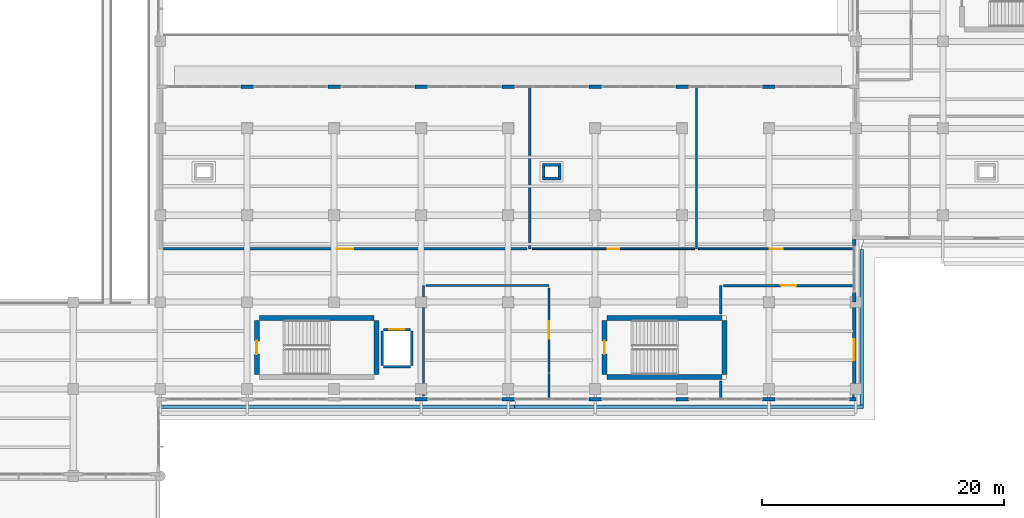
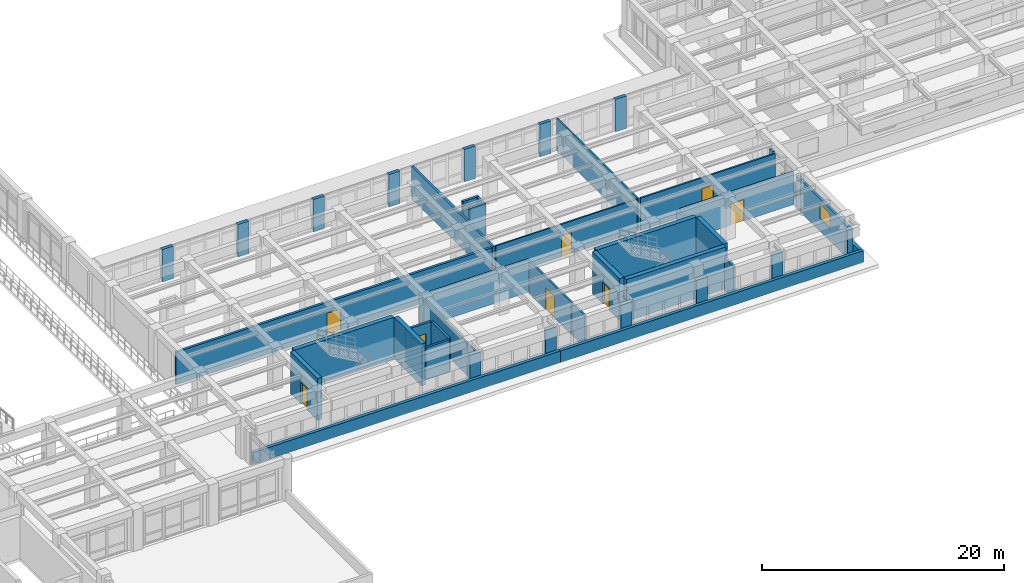
# One storey, part 50 of 69: 46 walls, 8 doors, 1 window, 9 openings.
"""IFC4 building model written with IfcOpenShell, lengths in metres."""

from ifc_helpers import new_model, si_unit, direction, frame, frame_2d, origin, place, context, subcontext, project, spatial, rectangle, extrude, material, layer, layer_set, type_object, element, fill, save


model = new_model("IFC4")

# Units and contexts
model_context = context("Model", 3, precision=1e-05, world=origin(), true_north=direction((0.0, 1.0)))
body_context = subcontext(model_context, "Body", "Model", "MODEL_VIEW")
ifc_project = project(units=[si_unit("LENGTHUNIT", "METRE"), si_unit("AREAUNIT", "SQUARE_METRE"), si_unit("VOLUMEUNIT", "CUBIC_METRE"), si_unit("PLANEANGLEUNIT", "RADIAN"), si_unit("MASSUNIT", "GRAM", prefix="KILO")], contexts=[model_context])

# Site, building, storey
site_placement = place(None, origin())
site = spatial("IfcSite", under=ifc_project, at=site_placement, CompositionType="ELEMENT")
building_placement = place(site_placement, origin())
building = spatial("IfcBuilding", under=site, at=building_placement, Name="Solenvale Faculty of Natural Sciences", CompositionType="ELEMENT")
storey_placement = place(building_placement, frame((0.0, 0.0, 4.5)))
storey = spatial("IfcBuildingStorey", under=building, at=storey_placement, Name="L01", CompositionType="ELEMENT", Elevation=4.5)

# Walls
ifc_material_1 = material(Name="Architectural bronze concrete 40 MPa", Category="concrete")
ifc_layer_1 = layer(ifc_material_1, 0.300048828125)
ifc_layer_set_1 = layer_set([ifc_layer_1], Name="Architectural bronze concrete 40 MPa")
wall_type_1 = type_object("IfcWallType", Name="WL-EXT-BRZ-300", PredefinedType="STANDARD", material=ifc_layer_set_1)
wall_1_placement = place(storey_placement, frame((115.669921875, 33.15087890625, 0.0), z_axis=(0.0, 0.0, 1.0), x_axis=(0.0, -1.0, 0.0)))
element("IfcWall", 1, at=wall_1_placement, inside=storey, type_object=wall_type_1, Name="L01 Sliding-Tray Rough Bronze Concrete Band 5", PredefinedType="PARAPET", context=body_context, shape_type="SweptSolid", body=[
    extrude(rectangle(XDim=12.870849609375, YDim=0.300048828125, at=frame_2d((6.435546875, 0.0))), origin(), (0.0, 0.0, 1.0), 1.179931640625),
])
wall_2_placement = place(storey_placement, frame((115.820068359375, 20.1298828125, 0.0), z_axis=(0.0, 0.0, 1.0), x_axis=(-1.0, 0.0, 0.0)))
element("IfcWall", 2, at=wall_2_placement, inside=storey, type_object=wall_type_1, Name="L01 Sliding-Tray Rough Bronze Concrete Band 6", PredefinedType="PARAPET", context=body_context, shape_type="SweptSolid", body=[
    extrude(rectangle(XDim=28.907958984375, YDim=0.300048828125, at=frame_2d((14.4541015625, 0.0))), origin(), (0.0, 0.0, 1.0), 1.179931640625),
])
wall_3_placement = place(storey_placement, frame((87.1279296875, 20.1298828125, 0.0), z_axis=(0.0, 0.0, 1.0), x_axis=(-1.0, 0.0, 0.0)))
element("IfcWall", 3, at=wall_3_placement, inside=storey, type_object=wall_type_1, Name="L01 Sliding-Tray Rough Bronze Concrete Band 7", PredefinedType="PARAPET", context=body_context, shape_type="SweptSolid", body=[
    extrude(rectangle(XDim=29.498046875, YDim=0.300048828125, at=frame_2d((14.7490234375, 0.0))), origin(), (0.0, 0.0, 1.0), 1.179931640625),
])
ifc_layer_2 = layer(ifc_material_1, 0.324951171875)
ifc_layer_set_2 = layer_set([ifc_layer_2], Name="Architectural bronze concrete 40 MPa")
wall_type_2 = type_object("IfcWallType", Name="WL-EXT-BRZ-325", PredefinedType="STANDARD", material=ifc_layer_set_2)
wall_4_placement = place(storey_placement, frame((78.681884765625, 20.762451171875, 0.0), z_axis=(0.0, 0.0, 1.0), x_axis=(1.0, 0.0, 0.0)))
element("IfcWall", 4, at=wall_4_placement, inside=storey, type_object=wall_type_2, Name="L01 Facade Closure Pier 5.B3-R", PredefinedType="STANDARD", context=body_context, shape_type="SweptSolid", body=[
    extrude(rectangle(XDim=1.0361328125, YDim=0.324951171875, at=frame_2d((0.51806640625, 0.0))), origin(), (0.0, 0.0, 1.0), 3.260009765625),
])
for number, where, z_axis, x_axis, name in (
    (5, (85.882080078125, 20.762451171875, 0.0), (0.0, 0.0, 1.0), (1.0, 0.0, 0.0), "L01 Facade Closure Pier 5.B4-R"),
    (6, (93.08203125, 20.762451171875, 0.0), (0.0, 0.0, 1.0), (1.0, 0.0, 0.0), "L01 Facade Closure Pier 5.B5-R"),
):
    element("IfcWall", number, at=place(storey_placement, frame(where, z_axis=z_axis, x_axis=x_axis)), inside=storey, type_object=wall_type_2, Name=name, PredefinedType="STANDARD", context=body_context, shape_type="SweptSolid", body=[
        extrude(rectangle(XDim=1.035888671875, YDim=0.324951171875, at=frame_2d((0.51806640625, 0.0))), origin(), (0.0, 0.0, 1.0), 3.260009765625),
    ])
for number, where, z_axis, x_axis, name in (
    (7, (100.281982421875, 20.762451171875, 0.0), (0.0, 0.0, 1.0), (1.0, 0.0, 0.0), "L01 Facade Closure Pier 5.B6-R"),
    (8, (107.48193359375, 20.762451171875, 0.0), (0.0, 0.0, 1.0), (1.0, 0.0, 0.0), "L01 Facade Closure Pier 5.B7-R"),
):
    element("IfcWall", number, at=place(storey_placement, frame(where, z_axis=z_axis, x_axis=x_axis)), inside=storey, type_object=wall_type_2, Name=name, PredefinedType="STANDARD", context=body_context, shape_type="SweptSolid", body=[
        extrude(rectangle(XDim=1.0361328125, YDim=0.324951171875, at=frame_2d((0.51806640625, 0.0))), origin(), (0.0, 0.0, 1.0), 3.260009765625),
    ])
wall_5_placement = place(storey_placement, frame((114.681884765625, 20.762451171875, 0.0), z_axis=(0.0, 0.0, 1.0), x_axis=(1.0, 0.0, 0.0)))
element("IfcWall", 9, at=wall_5_placement, inside=storey, type_object=wall_type_2, Name="L01 Facade Closure Pier 5.B8-R", PredefinedType="STANDARD", context=body_context, shape_type="SweptSolid", body=[
    extrude(rectangle(XDim=0.51806640625, YDim=0.324951171875, at=frame_2d((0.259033203125, 0.0))), origin(), (0.0, 0.0, 1.0), 3.260009765625),
])
for number, where, z_axis, x_axis, name in (
    (10, (108.51806640625, 46.637451171875, 0.0), (0.0, 0.0, 1.0), (-1.0, 0.0, 0.0), "L01 Facade Closure Pier 11.B1-R"),
    (11, (101.318115234375, 46.637451171875, 0.0), (0.0, 0.0, 1.0), (-1.0, 0.0, 0.0), "L01 Facade Closure Pier 11.B2-R"),
):
    element("IfcWall", number, at=place(storey_placement, frame(where, z_axis=z_axis, x_axis=x_axis)), inside=storey, type_object=wall_type_2, Name=name, PredefinedType="STANDARD", context=body_context, shape_type="SweptSolid", body=[
        extrude(rectangle(XDim=1.0361328125, YDim=0.324951171875, at=frame_2d((0.51806640625, 0.0))), origin(), (0.0, 0.0, 1.0), 3.260009765625),
    ])
for number, where, z_axis, x_axis, name in (
    (12, (94.117919921875, 46.637451171875, 0.0), (0.0, 0.0, 1.0), (-1.0, 0.0, 0.0), "L01 Facade Closure Pier 11.B3-R"),
    (13, (86.91796875, 46.637451171875, 0.0), (0.0, 0.0, 1.0), (-1.0, 0.0, 0.0), "L01 Facade Closure Pier 11.B4-R"),
):
    element("IfcWall", number, at=place(storey_placement, frame(where, z_axis=z_axis, x_axis=x_axis)), inside=storey, type_object=wall_type_2, Name=name, PredefinedType="STANDARD", context=body_context, shape_type="SweptSolid", body=[
        extrude(rectangle(XDim=1.035888671875, YDim=0.324951171875, at=frame_2d((0.51806640625, 0.0))), origin(), (0.0, 0.0, 1.0), 3.260009765625),
    ])
for number, where, z_axis, x_axis, name in (
    (14, (79.718017578125, 46.637451171875, 0.0), (0.0, 0.0, 1.0), (-1.0, 0.0, 0.0), "L01 Facade Closure Pier 11.B5-R"),
    (15, (72.51806640625, 46.637451171875, 0.0), (0.0, 0.0, 1.0), (-1.0, 0.0, 0.0), "L01 Facade Closure Pier 11.B6-R"),
    (16, (65.318115234375, 46.637451171875, 0.0), (0.0, 0.0, 1.0), (-1.0, 0.0, 0.0), "L01 Facade Closure Pier 11.B7-R"),
):
    element("IfcWall", number, at=place(storey_placement, frame(where, z_axis=z_axis, x_axis=x_axis)), inside=storey, type_object=wall_type_2, Name=name, PredefinedType="STANDARD", context=body_context, shape_type="SweptSolid", body=[
        extrude(rectangle(XDim=1.0361328125, YDim=0.324951171875, at=frame_2d((0.51806640625, 0.0))), origin(), (0.0, 0.0, 1.0), 3.260009765625),
    ])

# Wall, opening, window
ifc_material_2 = material(Name="Precast concrete 40 MPa", Category="concrete")
ifc_layer_3 = layer(ifc_material_2, 0.264892578125)
ifc_layer_set_3 = layer_set([ifc_layer_3], Name="Precast concrete 40 MPa")
wall_type_3 = type_object("IfcWallType", Name="WL-EXT-PRC-265", PredefinedType="STANDARD", material=ifc_layer_set_3)
wall_6_placement = place(storey_placement, frame((115.0673828125, 28.800048828125, 0.0), z_axis=(0.0, 0.0, 1.0), x_axis=(0.0, -1.0, 0.0)))
wall_6 = element("IfcWall", 17, at=wall_6_placement, inside=storey, type_object=wall_type_3, Name="L01 Exterior Wall 6.1", PredefinedType="STANDARD", context=body_context, shape_type="SweptSolid", body=[
    extrude(rectangle(XDim=7.875, YDim=0.264892578125, at=frame_2d((3.9375, 0.0))), origin(), (0.0, 0.0, 1.0), 3.260009765625),
])
opening_1_placement = place(wall_6_placement, frame((3.06201171875, 0.0, 1.280029296875)))
opening_1 = element("IfcOpeningElement", 18, at=opening_1_placement, cuts=wall_6, Name="Opening WN-22", PredefinedType="OPENING", context=body_context, shape_type="SweptSolid", body=[
    extrude(rectangle(XDim=1.75, YDim=1.5, at=frame_2d((0.875, 0.75))), frame((0.0, 0.142333984375, 0.0), z_axis=(0.0, -1.0, 0.0), x_axis=(1.0, 0.0, 0.0)), (0.0, 0.0, 1.0), 0.284912109375),
])
ifc_material_3 = material(Name="Triple low-E insulated glass", Category="glass")
window_type = type_object("IfcWindowType", Name="WN-1750x1500", PartitioningType="SINGLE_PANEL", PredefinedType="WINDOW", material=ifc_material_3)
window_placement = place(opening_1_placement, origin())
window = element("IfcWindow", 19, at=window_placement, inside=storey, type_object=window_type, Name="L01 Window 6.1", OverallHeight=1.5, OverallWidth=1.75, PartitioningType="SINGLE_PANEL", PredefinedType="WINDOW", context=body_context, shape_type="SweptSolid", body=[
    extrude(rectangle(XDim=1.75, YDim=1.5, at=frame_2d((0.875, 0.75))), frame((0.0, 0.030029296875, 0.0), z_axis=(0.0, -1.0, 0.0), x_axis=(1.0, 0.0, 0.0)), (0.0, 0.0, 1.0), 0.06005859375),
])
fill(opening_1, window)

# Walls
ifc_layer_4 = layer(ifc_material_2, 0.284912109375)
ifc_layer_set_4 = layer_set([ifc_layer_4], Name="Precast concrete 40 MPa")
wall_type_4 = type_object("IfcWallType", Name="WL-EXT-PRC-285", PredefinedType="STANDARD", material=ifc_layer_set_4)
wall_7_placement = place(storey_placement, frame((115.0576171875, 28.800048828125, 0.0), z_axis=(0.0, 0.0, 1.0), x_axis=(0.0, 1.0, 0.0)))
element("IfcWall", 20, at=wall_7_placement, inside=storey, type_object=wall_type_4, Name="L01 Facade Closure Pier 6.B2-L", PredefinedType="STANDARD", context=body_context, shape_type="SweptSolid", body=[
    extrude(rectangle(XDim=0.787841796875, YDim=0.284912109375, at=frame_2d((0.39404296875, 0.0))), origin(), (0.0, 0.0, 1.0), 3.260009765625),
])
wall_8_placement = place(storey_placement, frame((115.0576171875, 33.48193359375, 0.0), z_axis=(0.0, 0.0, 1.0), x_axis=(0.0, 1.0, 0.0)))
element("IfcWall", 21, at=wall_8_placement, inside=storey, type_object=wall_type_4, Name="L01 Facade Closure Pier 6.B2-R", PredefinedType="STANDARD", context=body_context, shape_type="SweptSolid", body=[
    extrude(rectangle(XDim=0.51806640625, YDim=0.284912109375, at=frame_2d((0.259033203125, 0.0))), origin(), (0.0, 0.0, 1.0), 3.260009765625),
])
ifc_material_4 = material(Name="Gypsum fire-rated laboratory partition")
ifc_layer_5 = layer(ifc_material_4, 0.175048828125)
ifc_layer_set_5 = layer_set([ifc_layer_5], Name="Gypsum fire-rated laboratory partition")
wall_type_5 = type_object("IfcWallType", Name="WL-LAB-175", PredefinedType="PARTITIONING", material=ifc_layer_set_5)
wall_9_placement = place(storey_placement, frame((79.39990234375, 21.02392578125, 0.0), z_axis=(0.0, 0.0, 1.0), x_axis=(0.0, 1.0, 0.0)))
element("IfcWall", 22, at=wall_9_placement, inside=storey, type_object=wall_type_5, Name="L01 Organic Chemistry Teaching Laboratory Partition 1", PredefinedType="PARTITIONING", context=body_context, shape_type="SweptSolid", body=[
    extrude(rectangle(XDim=9.156005859375, YDim=0.175048828125, at=frame_2d((4.578125, 0.0))), origin(), (0.0, 0.0, 1.0), 3.260009765625),
])
wall_10_placement = place(storey_placement, frame((79.5869140625, 30.179931640625, 0.0), z_axis=(0.0, 0.0, 1.0), x_axis=(1.0, 0.0, 0.0)))
element("IfcWall", 23, at=wall_10_placement, inside=storey, type_object=wall_type_5, Name="L01 Organic Chemistry Teaching Laboratory Partition 2", PredefinedType="PARTITIONING", context=body_context, shape_type="SweptSolid", body=[
    extrude(rectangle(XDim=10.193115234375, YDim=0.175048828125, at=frame_2d((5.0966796875, 0.0))), origin(), (0.0, 0.0, 1.0), 3.260009765625),
])

# Wall, opening, door
wall_11_placement = place(storey_placement, frame((89.780029296875, 29.992919921875, 0.0), z_axis=(0.0, 0.0, 1.0), x_axis=(0.0, -1.0, 0.0)))
wall_11 = element("IfcWall", 24, at=wall_11_placement, inside=storey, type_object=wall_type_5, Name="L01 Organic Chemistry Teaching Laboratory Partition 3", PredefinedType="PARTITIONING", context=body_context, shape_type="SweptSolid", body=[
    extrude(rectangle(XDim=6.992919921875, YDim=0.175048828125, at=frame_2d((3.49658203125, 0.0))), origin(), (0.0, 0.0, 1.0), 3.260009765625),
])
opening_2_placement = place(wall_11_placement, frame((2.756103515625, 0.0, 0.0)))
opening_2 = element("IfcOpeningElement", 25, at=opening_2_placement, cuts=wall_11, Name="Opening D-L01-09", PredefinedType="OPENING", context=body_context, shape_type="SweptSolid", body=[
    extrude(rectangle(XDim=1.47998046875, YDim=2.199951171875, at=frame_2d((0.739990234375, 1.10009765625))), frame((0.0, 0.097412109375, 0.0), z_axis=(0.0, -1.0, 0.0), x_axis=(1.0, 0.0, 0.0)), (0.0, 0.0, 1.0), 0.195068359375),
])
ifc_material_5 = material(Name="Oak acoustic timber leaf", Category="wood")
door_type_1 = type_object("IfcDoorType", Name="DR-LAB-1480x2200", OperationType="NOTDEFINED", PredefinedType="DOOR", material=ifc_material_5)
door_1_placement = place(opening_2_placement, origin())
door_1 = element("IfcDoor", 26, at=door_1_placement, inside=storey, type_object=door_type_1, Name="L01 Organic Chemistry Teaching Laboratory Door", OperationType="SINGLE_SWING_RIGHT", OverallHeight=2.199951171875, OverallWidth=1.47998046875, PredefinedType="DOOR", context=body_context, shape_type="SweptSolid", body=[
    extrude(rectangle(XDim=1.47998046875, YDim=2.199951171875, at=frame_2d((0.739990234375, 1.10009765625))), frame((0.0, 0.02490234375, 0.0), z_axis=(0.0, -1.0, 0.0), x_axis=(1.0, 0.0, 0.0)), (0.0, 0.0, 1.0), 0.050048828125),
])
fill(opening_2, door_1)

# Walls
wall_12_placement = place(storey_placement, frame((89.800048828125, 22.90087890625, 0.0), z_axis=(0.0, 0.0, 1.0), x_axis=(0.0, -1.0, 0.0)))
element("IfcWall", 27, at=wall_12_placement, inside=storey, type_object=wall_type_5, Name="L01 Organic Chemistry Teaching Laboratory Partition 20", PredefinedType="PARTITIONING", context=body_context, shape_type="SweptSolid", body=[
    extrude(rectangle(XDim=2.098876953125, YDim=0.175048828125, at=frame_2d((1.04931640625, 0.0))), origin(), (0.0, 0.0, 1.0), 3.260009765625),
])
ifc_layer_6 = layer(ifc_material_4, 0.2119140625)
ifc_layer_set_6 = layer_set([ifc_layer_6], Name="Gypsum fire-rated laboratory partition")
wall_type_6 = type_object("IfcWallType", Name="WL-LAB-212", PredefinedType="PARTITIONING", material=ifc_layer_set_6)
wall_13_placement = place(storey_placement, frame((104.0, 20.802001953125, 0.0), z_axis=(0.0, 0.0, 1.0), x_axis=(0.0, 1.0, 0.0)))
element("IfcWall", 28, at=wall_13_placement, inside=storey, type_object=wall_type_6, Name="L01 Quantitative Analysis Laboratory Partition 3", PredefinedType="PARTITIONING", context=body_context, shape_type="SweptSolid", body=[
    extrude(rectangle(XDim=1.469970703125, YDim=0.2119140625, at=frame_2d((0.73486328125, 0.0))), origin(), (0.0, 0.0, 1.0), 3.260009765625),
])
wall_14_placement = place(storey_placement, frame((104.0, 27.827880859375, 0.0), z_axis=(0.0, 0.0, 1.0), x_axis=(0.0, 1.0, 0.0)))
element("IfcWall", 29, at=wall_14_placement, inside=storey, type_object=wall_type_6, Name="L01 Quantitative Analysis Laboratory Partition 39", PredefinedType="PARTITIONING", context=body_context, shape_type="SweptSolid", body=[
    extrude(rectangle(XDim=2.35205078125, YDim=0.2119140625, at=frame_2d((1.176025390625, 0.0))), origin(), (0.0, 0.0, 1.0), 3.260009765625),
])

# Wall, opening, door
wall_15_placement = place(storey_placement, frame((104.22412109375, 30.179931640625, 0.0), z_axis=(0.0, 0.0, 1.0), x_axis=(1.0, 0.0, 0.0)))
wall_15 = element("IfcWall", 30, at=wall_15_placement, inside=storey, type_object=wall_type_6, Name="L01 Quantitative Analysis Laboratory Partition 40", PredefinedType="PARTITIONING", context=body_context, shape_type="SweptSolid", body=[
    extrude(rectangle(XDim=10.79296875, YDim=0.2119140625, at=frame_2d((5.396484375, 0.0))), origin(), (0.0, 0.0, 1.0), 3.260009765625),
])
opening_3_placement = place(wall_15_placement, frame((4.77099609375, 0.0, 0.0)))
opening_3 = element("IfcOpeningElement", 31, at=opening_3_placement, cuts=wall_15, Name="Opening D-L01-10", PredefinedType="OPENING", context=body_context, shape_type="SweptSolid", body=[
    extrude(rectangle(XDim=1.25, YDim=2.14990234375, at=frame_2d((0.625, 1.074951171875))), frame((0.0, 0.115966796875, 0.0), z_axis=(0.0, -1.0, 0.0), x_axis=(1.0, 0.0, 0.0)), (0.0, 0.0, 1.0), 0.23193359375),
])
door_type_2 = type_object("IfcDoorType", Name="DR-LAB-1250x2150", OperationType="NOTDEFINED", PredefinedType="DOOR", material=ifc_material_5)
door_2_placement = place(opening_3_placement, origin())
door_2 = element("IfcDoor", 32, at=door_2_placement, inside=storey, type_object=door_type_2, Name="L01 Quantitative Analysis Laboratory Door", OperationType="SINGLE_SWING_LEFT", OverallHeight=2.14990234375, OverallWidth=1.25, PredefinedType="DOOR", context=body_context, shape_type="SweptSolid", body=[
    extrude(rectangle(XDim=1.25, YDim=2.14990234375, at=frame_2d((0.625, 1.074951171875))), frame((0.0, 0.02490234375, 0.0), z_axis=(0.0, -1.0, 0.0), x_axis=(1.0, 0.0, 0.0)), (0.0, 0.0, 1.0), 0.050048828125),
])
fill(opening_3, door_2)

# Wall
ifc_layer_7 = layer(ifc_material_4, 0.22802734375)
ifc_layer_set_7 = layer_set([ifc_layer_7], Name="Gypsum fire-rated laboratory partition")
wall_type_7 = type_object("IfcWallType", Name="WL-LAB-228", PredefinedType="PARTITIONING", material=ifc_layer_set_7)
wall_16_placement = place(storey_placement, frame((88.199951171875, 46.597900390625, 0.0), z_axis=(0.0, 0.0, 1.0), x_axis=(0.0, -1.0, 0.0)))
element("IfcWall", 33, at=wall_16_placement, inside=storey, type_object=wall_type_7, Name="L01 Microbiology Teaching Laboratory Partition 3", PredefinedType="PARTITIONING", context=body_context, shape_type="SweptSolid", body=[
    extrude(rectangle(XDim=13.3779296875, YDim=0.22802734375, at=frame_2d((6.68896484375, 0.0))), origin(), (0.0, 0.0, 1.0), 3.260009765625),
])

# Wall, opening, door
wall_17_placement = place(storey_placement, frame((87.9599609375, 33.219970703125, 0.0), z_axis=(0.0, 0.0, 1.0), x_axis=(-1.0, 0.0, 0.0)))
wall_17 = element("IfcWall", 34, at=wall_17_placement, inside=storey, type_object=wall_type_7, Name="L01 Microbiology Teaching Laboratory Partition 4", PredefinedType="PARTITIONING", context=body_context, shape_type="SweptSolid", body=[
    extrude(rectangle(XDim=30.099853515625, YDim=0.22802734375, at=frame_2d((15.0498046875, 0.0))), origin(), (0.0, 0.0, 1.0), 3.260009765625),
])
opening_4_placement = place(wall_17_placement, frame((14.375, 0.0, 0.0)))
opening_4 = element("IfcOpeningElement", 35, at=opening_4_placement, cuts=wall_17, Name="Opening D-L01-11", PredefinedType="OPENING", context=body_context, shape_type="SweptSolid", body=[
    extrude(rectangle(XDim=1.35009765625, YDim=2.14990234375, at=frame_2d((0.675048828125, 1.074951171875))), frame((0.0, 0.1240234375, 0.0), z_axis=(0.0, -1.0, 0.0), x_axis=(1.0, 0.0, 0.0)), (0.0, 0.0, 1.0), 0.248046875),
])
door_type_3 = type_object("IfcDoorType", Name="DR-LAB-1350x2150", OperationType="NOTDEFINED", PredefinedType="DOOR", material=ifc_material_5)
door_3_placement = place(opening_4_placement, origin())
door_3 = element("IfcDoor", 36, at=door_3_placement, inside=storey, type_object=door_type_3, Name="L01 Microbiology Teaching Laboratory Door", OperationType="SINGLE_SWING_RIGHT", OverallHeight=2.14990234375, OverallWidth=1.35009765625, PredefinedType="DOOR", context=body_context, shape_type="SweptSolid", body=[
    extrude(rectangle(XDim=1.35009765625, YDim=2.14990234375, at=frame_2d((0.675048828125, 1.074951171875))), frame((0.0, 0.02490234375, 0.0), z_axis=(0.0, -1.0, 0.0), x_axis=(1.0, 0.0, 0.0)), (0.0, 0.0, 1.0), 0.050048828125),
])
fill(opening_4, door_3)

# Wall
ifc_material_6 = material(Name="Acoustic stud gypsum partition")
ifc_layer_8 = layer(ifc_material_6, 0.139892578125)
ifc_layer_set_8 = layer_set([ifc_layer_8], Name="Acoustic stud gypsum partition")
wall_type_8 = type_object("IfcWallType", Name="WL-OFF-140", PredefinedType="PARTITIONING", material=ifc_layer_set_8)
wall_18_placement = place(storey_placement, frame((102.0, 46.597900390625, 0.0), z_axis=(0.0, 0.0, 1.0), x_axis=(0.0, -1.0, 0.0)))
element("IfcWall", 37, at=wall_18_placement, inside=storey, type_object=wall_type_8, Name="L01 Graduate Research Office Partition 3", PredefinedType="PARTITIONING", context=body_context, shape_type="SweptSolid", body=[
    extrude(rectangle(XDim=13.3779296875, YDim=0.139892578125, at=frame_2d((6.68896484375, 0.0))), origin(), (0.0, 0.0, 1.0), 3.260009765625),
])

# Wall, opening, door
wall_19_placement = place(storey_placement, frame((101.847900390625, 33.219970703125, 0.0), z_axis=(0.0, 0.0, 1.0), x_axis=(-1.0, 0.0, 0.0)))
wall_19 = element("IfcWall", 38, at=wall_19_placement, inside=storey, type_object=wall_type_8, Name="L01 Graduate Research Office Partition 4", PredefinedType="PARTITIONING", context=body_context, shape_type="SweptSolid", body=[
    extrude(rectangle(XDim=13.451904296875, YDim=0.139892578125, at=frame_2d((6.72607421875, 0.0))), origin(), (0.0, 0.0, 1.0), 3.260009765625),
])
opening_5_placement = place(wall_19_placement, frame((6.24609375, 0.0, 0.0)))
opening_5 = element("IfcOpeningElement", 39, at=opening_5_placement, cuts=wall_19, Name="Opening D-L01-12", PredefinedType="OPENING", context=body_context, shape_type="SweptSolid", body=[
    extrude(rectangle(XDim=0.9599609375, YDim=2.10009765625, at=frame_2d((0.47998046875, 1.050048828125))), frame((0.0, 0.079833984375, 0.0), z_axis=(0.0, -1.0, 0.0), x_axis=(1.0, 0.0, 0.0)), (0.0, 0.0, 1.0), 0.159912109375),
])
door_type_4 = type_object("IfcDoorType", Name="DR-OFF-0960x2100", OperationType="NOTDEFINED", PredefinedType="DOOR", material=ifc_material_5)
door_4_placement = place(opening_5_placement, origin())
door_4 = element("IfcDoor", 40, at=door_4_placement, inside=storey, type_object=door_type_4, Name="L01 Graduate Research Office Door", OperationType="SINGLE_SWING_LEFT", OverallHeight=2.10009765625, OverallWidth=0.9599609375, PredefinedType="DOOR", context=body_context, shape_type="SweptSolid", body=[
    extrude(rectangle(XDim=0.9599609375, YDim=2.10009765625, at=frame_2d((0.47998046875, 1.050048828125))), frame((0.0, 0.02490234375, 0.0), z_axis=(0.0, -1.0, 0.0), x_axis=(1.0, 0.0, 0.0)), (0.0, 0.0, 1.0), 0.050048828125),
])
fill(opening_5, door_4)

ifc_material_7 = material(Name="Acoustic double-stud gypsum partition")
ifc_layer_9 = layer(ifc_material_7, 0.155029296875)
ifc_layer_set_9 = layer_set([ifc_layer_9], Name="Acoustic double-stud gypsum partition")
wall_type_9 = type_object("IfcWallType", Name="WL-SEM-155", PredefinedType="PARTITIONING", material=ifc_layer_set_9)
wall_20_placement = place(storey_placement, frame((115.01708984375, 33.219970703125, 0.0), z_axis=(0.0, 0.0, 1.0), x_axis=(-1.0, 0.0, 0.0)))
wall_20 = element("IfcWall", 41, at=wall_20_placement, inside=storey, type_object=wall_type_9, Name="L01 Seminar Room Partition 17", PredefinedType="PARTITIONING", context=body_context, shape_type="SweptSolid", body=[
    extrude(rectangle(XDim=12.858154296875, YDim=0.155029296875, at=frame_2d((6.42919921875, 0.0))), origin(), (0.0, 0.0, 1.0), 3.260009765625),
])
opening_6_placement = place(wall_20_placement, frame((5.888916015625, 0.0, 0.0)))
opening_6 = element("IfcOpeningElement", 42, at=opening_6_placement, cuts=wall_20, Name="Opening D-L01-13", PredefinedType="OPENING", context=body_context, shape_type="SweptSolid", body=[
    extrude(rectangle(XDim=1.080078125, YDim=2.14990234375, at=frame_2d((0.5400390625, 1.074951171875))), frame((0.0, 0.08740234375, 0.0), z_axis=(0.0, -1.0, 0.0), x_axis=(1.0, 0.0, 0.0)), (0.0, 0.0, 1.0), 0.175048828125),
])
door_type_5 = type_object("IfcDoorType", Name="DR-SEM-1080x2150", OperationType="NOTDEFINED", PredefinedType="DOOR", material=ifc_material_5)
door_5_placement = place(opening_6_placement, origin())
door_5 = element("IfcDoor", 43, at=door_5_placement, inside=storey, type_object=door_type_5, Name="L01 Seminar Room Door", OperationType="SINGLE_SWING_RIGHT", OverallHeight=2.14990234375, OverallWidth=1.080078125, PredefinedType="DOOR", context=body_context, shape_type="SweptSolid", body=[
    extrude(rectangle(XDim=1.080078125, YDim=2.14990234375, at=frame_2d((0.5400390625, 1.074951171875))), frame((0.0, 0.02490234375, 0.0), z_axis=(0.0, -1.0, 0.0), x_axis=(1.0, 0.0, 0.0)), (0.0, 0.0, 1.0), 0.050048828125),
])
fill(opening_6, door_5)

# Wall
ifc_material_8 = material(Name="Concrete 40 MPa", Category="concrete")
ifc_layer_10 = layer(ifc_material_8, 0.219970703125)
ifc_layer_set_10 = layer_set([ifc_layer_10], Name="Concrete 40 MPa")
wall_type_10 = type_object("IfcWallType", Name="WL-SHF-220", PredefinedType="STANDARD", material=ifc_layer_set_10)
wall_21_placement = place(storey_placement, frame((76.080078125, 23.469970703125, 0.0), z_axis=(0.0, 0.0, 1.0), x_axis=(1.0, 0.0, 0.0)))
element("IfcWall", 44, at=wall_21_placement, inside=storey, type_object=wall_type_10, Name="Elevator LG-01 L01 Shaft Wall S", PredefinedType="STANDARD", context=body_context, shape_type="SweptSolid", body=[
    extrude(rectangle(XDim=2.239990234375, YDim=0.219970703125, at=frame_2d((1.1201171875, 0.0))), origin(), (0.0, 0.0, 1.0), 3.260009765625),
])

# Wall, opening, door
wall_22_placement = place(storey_placement, frame((76.080078125, 26.530029296875, 0.0), z_axis=(0.0, 0.0, 1.0), x_axis=(1.0, 0.0, 0.0)))
wall_22 = element("IfcWall", 45, at=wall_22_placement, inside=storey, type_object=wall_type_10, Name="Elevator LG-01 L01 Shaft Wall N", PredefinedType="STANDARD", context=body_context, shape_type="SweptSolid", body=[
    extrude(rectangle(XDim=2.239990234375, YDim=0.219970703125, at=frame_2d((1.1201171875, 0.0))), origin(), (0.0, 0.0, 1.0), 3.260009765625),
])
opening_7_placement = place(wall_22_placement, frame((0.469970703125, 0.0, 0.0)))
opening_7 = element("IfcOpeningElement", 46, at=opening_7_placement, cuts=wall_22, Name="Opening LD-LG-01-L01", PredefinedType="OPENING", context=body_context, shape_type="SweptSolid", body=[
    extrude(rectangle(XDim=1.300048828125, YDim=2.199951171875, at=frame_2d((0.64990234375, 1.10009765625))), frame((0.0, 0.119873046875, 0.0), z_axis=(0.0, -1.0, 0.0), x_axis=(1.0, 0.0, 0.0)), (0.0, 0.0, 1.0), 0.239990234375),
])
ifc_material_9 = material(Name="Stainless steel Grade 304", Category="steel")
door_type_6 = type_object("IfcDoorType", Name="DR-LIFT-1300x2200", OperationType="NOTDEFINED", PredefinedType="DOOR", material=ifc_material_9)
door_6_placement = place(opening_7_placement, origin())
door_6 = element("IfcDoor", 47, at=door_6_placement, inside=storey, type_object=door_type_6, Name="Elevator LG-01 L01 Sliding Landing Door", OperationType="SLIDING_TO_LEFT", OverallHeight=2.199951171875, OverallWidth=1.300048828125, PredefinedType="DOOR", context=body_context, shape_type="SweptSolid", body=[
    extrude(rectangle(XDim=1.300048828125, YDim=2.199951171875, at=frame_2d((0.64990234375, 1.10009765625))), frame((0.0, 0.02490234375, 0.0), z_axis=(0.0, -1.0, 0.0), x_axis=(1.0, 0.0, 0.0)), (0.0, 0.0, 1.0), 0.050048828125),
])
fill(opening_7, door_6)

# Walls
for number, where, z_axis, x_axis, name in (
    (48, (75.969970703125, 23.580078125, 0.0), (0.0, 0.0, 1.0), (0.0, 1.0, 0.0), "Elevator LG-01 L01 Shaft Wall W"),
    (49, (78.429931640625, 23.580078125, 0.0), (0.0, 0.0, 1.0), (0.0, 1.0, 0.0), "Elevator LG-01 L01 Shaft Wall E"),
):
    element("IfcWall", number, at=place(storey_placement, frame(where, z_axis=z_axis, x_axis=x_axis)), inside=storey, type_object=wall_type_10, Name=name, PredefinedType="STANDARD", context=body_context, shape_type="SweptSolid", body=[
        extrude(rectangle(XDim=2.83984375, YDim=0.219970703125, at=frame_2d((1.419921875, 0.0))), origin(), (0.0, 0.0, 1.0), 3.260009765625),
    ])
for number, where, z_axis, x_axis, name in (
    (50, (89.22998046875, 39.0400390625, 0.0), (0.0, 0.0, 1.0), (1.0, 0.0, 0.0), "L01 Service Riser Shaft 4 Wall S"),
    (51, (89.22998046875, 40.159912109375, 0.0), (0.0, 0.0, 1.0), (1.0, 0.0, 0.0), "L01 Service Riser Shaft 4 Wall N"),
):
    element("IfcWall", number, at=place(storey_placement, frame(where, z_axis=z_axis, x_axis=x_axis)), inside=storey, type_object=wall_type_10, Name=name, PredefinedType="STANDARD", context=body_context, shape_type="SweptSolid", body=[
        extrude(rectangle(XDim=1.5400390625, YDim=0.219970703125, at=frame_2d((0.77001953125, 0.0))), origin(), (0.0, 0.0, 1.0), 3.260009765625),
    ])
for number, where, z_axis, x_axis, name in (
    (52, (89.340087890625, 39.14990234375, 0.0), (0.0, 0.0, 1.0), (0.0, 1.0, 0.0), "L01 Service Riser Shaft 4 Wall W"),
    (53, (90.659912109375, 39.14990234375, 0.0), (0.0, 0.0, 1.0), (0.0, 1.0, 0.0), "L01 Service Riser Shaft 4 Wall E"),
):
    element("IfcWall", number, at=place(storey_placement, frame(where, z_axis=z_axis, x_axis=x_axis)), inside=storey, type_object=wall_type_10, Name=name, PredefinedType="STANDARD", context=body_context, shape_type="SweptSolid", body=[
        extrude(rectangle(XDim=0.900146484375, YDim=0.219970703125, at=frame_2d((0.4501953125, 0.0))), origin(), (0.0, 0.0, 1.0), 3.260009765625),
    ])
ifc_material_10 = material(Name="Concrete 50 MPa", Category="concrete")
ifc_layer_11 = layer(ifc_material_10, 0.409912109375)
ifc_layer_set_11 = layer_set([ifc_layer_11], Name="Concrete 50 MPa")
wall_type_11 = type_object("IfcWallType", Name="WL-SHR-410", PredefinedType="SHEAR", material=ifc_layer_set_11)
wall_23_placement = place(storey_placement, frame((65.800048828125, 27.5048828125, 0.0), z_axis=(0.0, 0.0, 1.0), x_axis=(1.0, 0.0, 0.0)))
element("IfcWall", 54, at=wall_23_placement, inside=storey, type_object=wall_type_11, Name="Core C3 L01 Shear Wall N", PredefinedType="SHEAR", context=body_context, shape_type="SweptSolid", body=[
    extrude(rectangle(XDim=9.5, YDim=0.409912109375, at=frame_2d((4.75, 0.0))), origin(), (0.0, 0.0, 1.0), 4.219970703125),
])

# Wall, opening, door
wall_24_placement = place(storey_placement, frame((65.594970703125, 22.800048828125, 0.0), z_axis=(0.0, 0.0, 1.0), x_axis=(0.0, 1.0, 0.0)))
wall_24 = element("IfcWall", 55, at=wall_24_placement, inside=storey, type_object=wall_type_11, Name="Core C3 L01 Shear Wall W", PredefinedType="SHEAR", context=body_context, shape_type="SweptSolid", body=[
    extrude(rectangle(XDim=4.5, YDim=0.409912109375, at=frame_2d((2.25, 0.0))), origin(), (0.0, 0.0, 1.0), 4.219970703125),
])
opening_8_placement = place(wall_24_placement, frame((1.699951171875, 0.0, 0.0)))
opening_8 = element("IfcOpeningElement", 56, at=opening_8_placement, cuts=wall_24, Name="Opening DS-C3-L01", PredefinedType="OPENING", context=body_context, shape_type="SweptSolid", body=[
    extrude(rectangle(XDim=1.10009765625, YDim=2.14990234375, at=frame_2d((0.550048828125, 1.074951171875))), frame((0.0, 0.21484375, 0.0), z_axis=(0.0, -1.0, 0.0), x_axis=(1.0, 0.0, 0.0)), (0.0, 0.0, 1.0), 0.429931640625),
])
ifc_material_11 = material(Name="Galvanised steel S355", Category="steel")
door_type_7 = type_object("IfcDoorType", Name="DR-STAIR-1100x2150", OperationType="NOTDEFINED", PredefinedType="DOOR", material=ifc_material_11)
door_7_placement = place(opening_8_placement, origin())
door_7 = element("IfcDoor", 57, at=door_7_placement, inside=storey, type_object=door_type_7, Name="L01 Stair ST-03 Fire Door", OperationType="SINGLE_SWING_LEFT", OverallHeight=2.14990234375, OverallWidth=1.10009765625, PredefinedType="DOOR", context=body_context, shape_type="SweptSolid", body=[
    extrude(rectangle(XDim=1.10009765625, YDim=2.14990234375, at=frame_2d((0.550048828125, 1.074951171875))), frame((0.0, 0.02490234375, 0.0), z_axis=(0.0, -1.0, 0.0), x_axis=(1.0, 0.0, 0.0)), (0.0, 0.0, 1.0), 0.050048828125),
])
fill(opening_8, door_7)

# Walls
wall_25_placement = place(storey_placement, frame((75.5048828125, 22.800048828125, 0.0), z_axis=(0.0, 0.0, 1.0), x_axis=(0.0, 1.0, 0.0)))
element("IfcWall", 58, at=wall_25_placement, inside=storey, type_object=wall_type_11, Name="Core C3 L01 Shear Wall E", PredefinedType="SHEAR", context=body_context, shape_type="SweptSolid", body=[
    extrude(rectangle(XDim=4.5, YDim=0.409912109375, at=frame_2d((2.25, 0.0))), origin(), (0.0, 0.0, 1.0), 4.219970703125),
])
for number, where, z_axis, x_axis, name in (
    (59, (94.60009765625, 22.594970703125, 0.0), (0.0, 0.0, 1.0), (1.0, 0.0, 0.0), "Core C3B L01 Shear Wall S"),
    (60, (94.60009765625, 27.5048828125, 0.0), (0.0, 0.0, 1.0), (1.0, 0.0, 0.0), "Core C3B L01 Shear Wall N"),
):
    element("IfcWall", number, at=place(storey_placement, frame(where, z_axis=z_axis, x_axis=x_axis)), inside=storey, type_object=wall_type_11, Name=name, PredefinedType="SHEAR", context=body_context, shape_type="SweptSolid", body=[
        extrude(rectangle(XDim=9.5, YDim=0.409912109375, at=frame_2d((4.75, 0.0))), origin(), (0.0, 0.0, 1.0), 4.219970703125),
    ])

# Wall, opening, door
wall_26_placement = place(storey_placement, frame((94.39501953125, 22.800048828125, 0.0), z_axis=(0.0, 0.0, 1.0), x_axis=(0.0, 1.0, 0.0)))
wall_26 = element("IfcWall", 61, at=wall_26_placement, inside=storey, type_object=wall_type_11, Name="Core C3B L01 Shear Wall W", PredefinedType="SHEAR", context=body_context, shape_type="SweptSolid", body=[
    extrude(rectangle(XDim=4.5, YDim=0.409912109375, at=frame_2d((2.25, 0.0))), origin(), (0.0, 0.0, 1.0), 4.219970703125),
])
opening_9_placement = place(wall_26_placement, frame((1.699951171875, 0.0, 0.0)))
opening_9 = element("IfcOpeningElement", 62, at=opening_9_placement, cuts=wall_26, Name="Opening DS-C3B-L01", PredefinedType="OPENING", context=body_context, shape_type="SweptSolid", body=[
    extrude(rectangle(XDim=1.10009765625, YDim=2.14990234375, at=frame_2d((0.550048828125, 1.074951171875))), frame((0.0, 0.21484375, 0.0), z_axis=(0.0, -1.0, 0.0), x_axis=(1.0, 0.0, 0.0)), (0.0, 0.0, 1.0), 0.429931640625),
])
door_8_placement = place(opening_9_placement, origin())
door_8 = element("IfcDoor", 63, at=door_8_placement, inside=storey, type_object=door_type_7, Name="L01 Stair ST-07 Fire Door", OperationType="SINGLE_SWING_LEFT", OverallHeight=2.14990234375, OverallWidth=1.10009765625, PredefinedType="DOOR", context=body_context, shape_type="SweptSolid", body=[
    extrude(rectangle(XDim=1.10009765625, YDim=2.14990234375, at=frame_2d((0.550048828125, 1.074951171875))), frame((0.0, 0.02490234375, 0.0), z_axis=(0.0, -1.0, 0.0), x_axis=(1.0, 0.0, 0.0)), (0.0, 0.0, 1.0), 0.050048828125),
])
fill(opening_9, door_8)

# Wall
wall_27_placement = place(storey_placement, frame((104.304931640625, 22.800048828125, 0.0), z_axis=(0.0, 0.0, 1.0), x_axis=(0.0, 1.0, 0.0)))
element("IfcWall", 64, at=wall_27_placement, inside=storey, type_object=wall_type_11, Name="Core C3B L01 Shear Wall E", PredefinedType="SHEAR", context=body_context, shape_type="SweptSolid", body=[
    extrude(rectangle(XDim=4.5, YDim=0.409912109375, at=frame_2d((2.25, 0.0))), origin(), (0.0, 0.0, 1.0), 4.219970703125),
])

save(model, "model.ifc")
